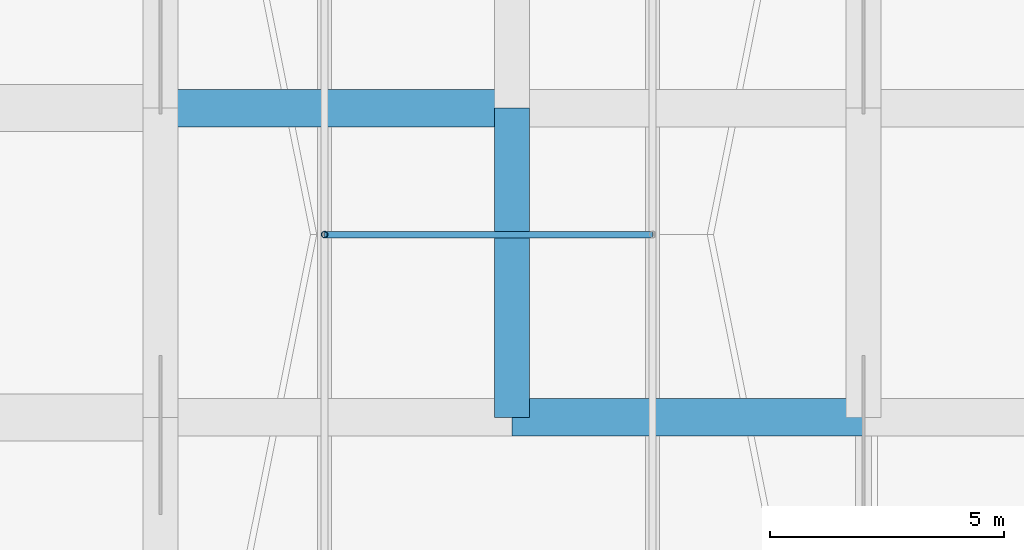
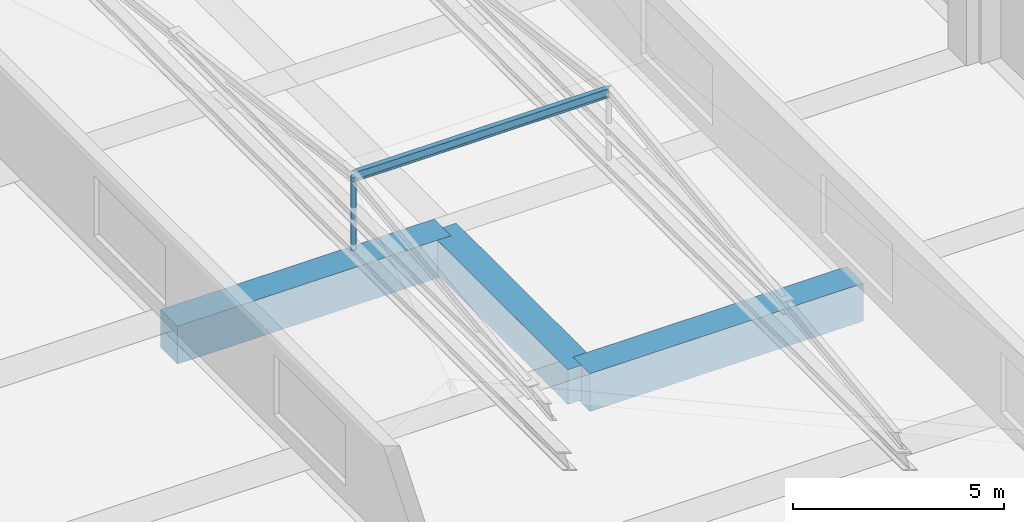
# One storey, part 5 of 49: 3 beams, 2 members.
"""IFC4 building model written with IfcOpenShell, lengths in metres."""

from ifc_helpers import new_model, si_unit, direction, frame, origin, origin_2d, place, context, subcontext, project, spatial, rectangle, hollow_circle, i_section, extrude, material, material_profile, profile_set, type_object, element, save


model = new_model("IFC4")

# Units and contexts
model_context = context("Model", 3, precision=1e-05, world=origin(), true_north=direction((0.0, 1.0)))
body_context = subcontext(model_context, "Body", "Model", "MODEL_VIEW")
ifc_project = project(units=[si_unit("LENGTHUNIT", "METRE"), si_unit("AREAUNIT", "SQUARE_METRE"), si_unit("VOLUMEUNIT", "CUBIC_METRE"), si_unit("PLANEANGLEUNIT", "RADIAN"), si_unit("MASSUNIT", "GRAM", prefix="KILO")], contexts=[model_context])

# Site, building, storey
site_placement = place(None, origin())
site = spatial("IfcSite", under=ifc_project, at=site_placement, CompositionType="ELEMENT")
building_placement = place(site_placement, origin())
building = spatial("IfcBuilding", under=site, at=building_placement, Name="Akrevak Sports Hall", CompositionType="ELEMENT")
storey_placement = place(building_placement, frame((0.0, 0.0, 24.14990234375)))
storey = spatial("IfcBuildingStorey", under=building, at=storey_placement, Name="L04", CompositionType="ELEMENT", Elevation=24.14990234375)

# Beams
ifc_material_1 = material(Name="Concrete C50/60", Category="concrete")
ifc_material_profile_1 = material_profile(ifc_material_1, rectangle(XDim=0.75, YDim=1.0, at=origin_2d()), Name="BM 750x1000", Category="concrete")
ifc_profile_set_1 = profile_set([ifc_material_profile_1], Name="Concrete C50/60")
beam_type_1 = type_object("IfcBeamType", Name="STR-BM-RC750x1000", PredefinedType="BEAM", material=ifc_profile_set_1)
beam_placement = place(storey_placement, frame((22.5, 48.60009765625, -0.5), z_axis=(0.0, 1.0, 0.0), x_axis=(-1.0, 0.0, 0.0)))
element("IfcBeam", 1, at=beam_placement, inside=storey, type_object=beam_type_1, Name="Girder 4/H-I (L04)", PredefinedType="BEAM", context=body_context, shape_type="SweptSolid", body=[
    extrude(rectangle(XDim=0.75, YDim=1.0, at=origin_2d()), origin(), (0.0, 0.0, 1.0), 6.599853515625),
])
ifc_material_profile_2 = material_profile(ifc_material_1, rectangle(XDim=0.800048828125, YDim=1.10009765625, at=origin_2d()), Name="BM 800x1100", Category="concrete")
ifc_profile_set_2 = profile_set([ifc_material_profile_2], Name="Concrete C50/60")
beam_type_2 = type_object("IfcBeamType", Name="STR-BM-RC800x1100", PredefinedType="BEAM", material=ifc_profile_set_2)
for number, where, z_axis, x_axis, name in (
    (2, (22.5, 48.60009765625, -0.5498046875), (1.0, 0.0, 0.0), (0.0, 1.0, 0.0), "Girder H/4-5 (L04)"),
    (3, (15.0, 55.199951171875, -0.5498046875), (1.0, 0.0, 0.0), (0.0, 1.0, 0.0), "Girder I/3-4 (L04)"),
):
    element("IfcBeam", number, at=place(storey_placement, frame(where, z_axis=z_axis, x_axis=x_axis)), inside=storey, type_object=beam_type_2, Name=name, PredefinedType="BEAM", context=body_context, shape_type="SweptSolid", body=[
        extrude(rectangle(XDim=0.800048828125, YDim=1.10009765625, at=origin_2d()), origin(), (0.0, 0.0, 1.0), 7.5),
    ])

# Members
ifc_material_2 = material(Name="Steel S355", Category="steel")
ifc_material_profile_3 = material_profile(ifc_material_2, hollow_circle(Radius=0.06982421875, WallThickness=0.008056640625, at=origin_2d()), Name="CHS 139.7x8", Category="steel")
ifc_profile_set_3 = profile_set([ifc_material_profile_3], Name="Steel S355")
member_type_1 = type_object("IfcMemberType", Name="STR-MEM-BRACE-CHS139", PredefinedType="BRACE", material=ifc_profile_set_3)
member_1_placement = place(storey_placement, frame((18.5, 52.5, 2.400146484375), z_axis=(0.0, 0.0, 1.0), x_axis=(1.0, 0.0, 0.0)))
element("IfcMember", 4, at=member_1_placement, inside=storey, type_object=member_type_1, Name="West Sports Hall Clerestory Monitor Roof Central King Post 1", PredefinedType="BRACE", context=body_context, shape_type="SweptSolid", body=[
    extrude(hollow_circle(Radius=0.06982421875, WallThickness=0.008056640625, at=origin_2d()), origin(), (0.0, 0.0, 1.0), 2.1298828125),
])
ifc_material_profile_4 = material_profile(ifc_material_2, i_section(OverallWidth=0.135009765625, OverallDepth=0.27001953125, WebThickness=0.006591796875, FlangeThickness=0.01025390625, FilletRadius=0.014892578125, at=origin_2d()), Name="IPE 270", Category="steel")
ifc_profile_set_4 = profile_set([ifc_material_profile_4], Name="Steel S355")
member_type_2 = type_object("IfcMemberType", Name="STR-MEM-PUR-IPE270", PredefinedType="PURLIN", material=ifc_profile_set_4)
member_2_placement = place(storey_placement, frame((18.5, 52.5, 4.530029296875), z_axis=(1.0, 0.0, 0.0), x_axis=(0.0, 1.0, 0.0)))
element("IfcMember", 5, at=member_2_placement, inside=storey, type_object=member_type_2, Name="West Sports Hall Clerestory Monitor Roof Ridge Steel Purlin 1", PredefinedType="PURLIN", context=body_context, shape_type="SweptSolid", body=[
    extrude(i_section(OverallWidth=0.135009765625, OverallDepth=0.27001953125, WebThickness=0.006591796875, FlangeThickness=0.01025390625, FilletRadius=0.014892578125, at=origin_2d()), origin(), (0.0, 0.0, 1.0), 7.0),
])

save(model, "model.ifc")
